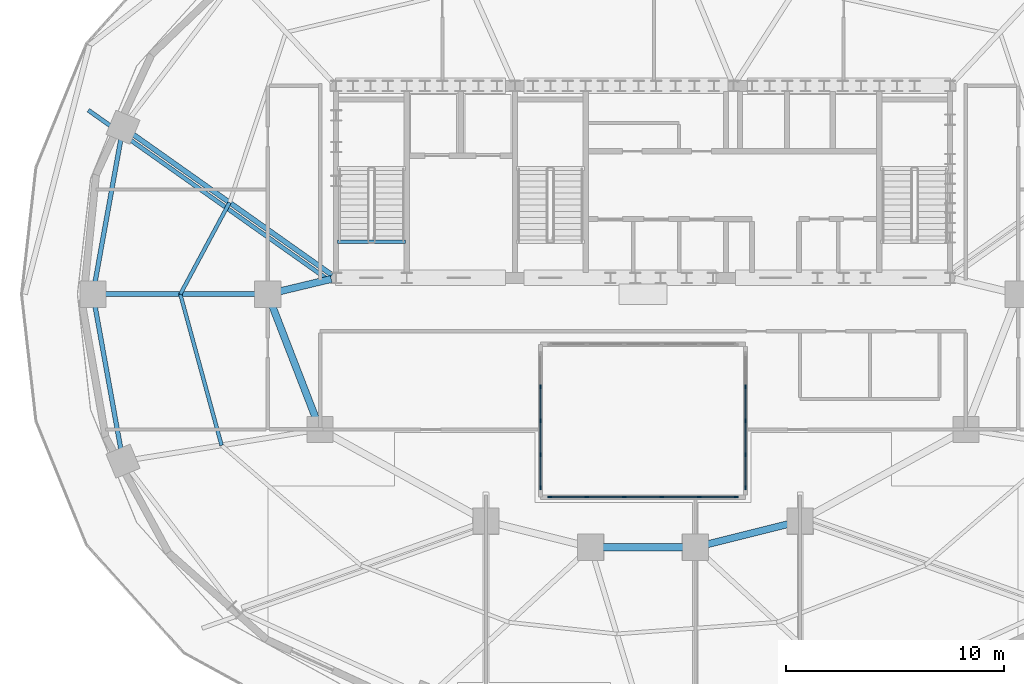
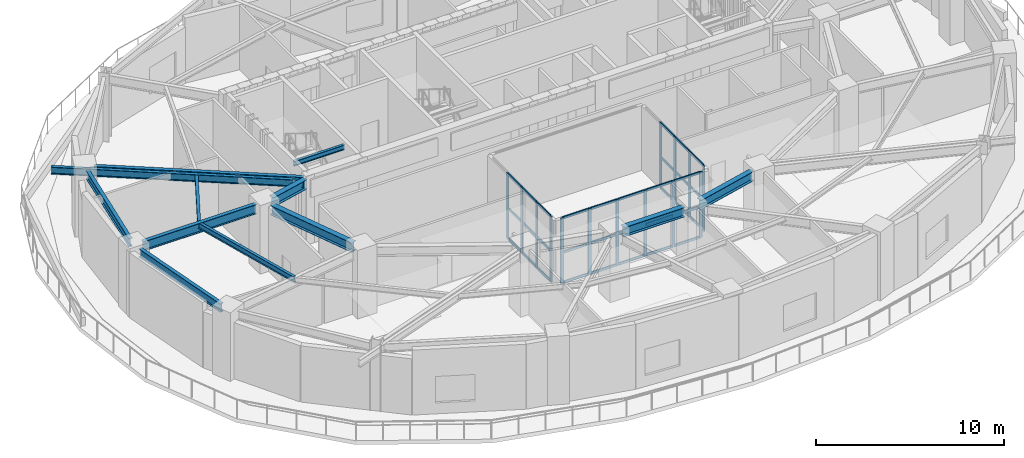
# One storey, part 2 of 11: 47 members, 12 beams, 3 elements without a shape of their own.
"""IFC4 building model written with IfcOpenShell, lengths in metres."""

from ifc_helpers import new_model, si_unit, direction, frame, origin, origin_2d, place, context, subcontext, project, spatial, rectangle, i_section, extrude, material, material_profile, profile_set, type_object, element, aggregate, save


model = new_model("IFC4")

# Units and contexts
model_context = context("Model", 3, precision=1e-05, world=origin(), true_north=direction((0.0, 1.0)))
body_context = subcontext(model_context, "Body", "Model", "MODEL_VIEW")
ifc_project = project(units=[si_unit("LENGTHUNIT", "METRE"), si_unit("AREAUNIT", "SQUARE_METRE"), si_unit("VOLUMEUNIT", "CUBIC_METRE"), si_unit("PLANEANGLEUNIT", "RADIAN"), si_unit("MASSUNIT", "GRAM", prefix="KILO")], contexts=[model_context])

# Site, building, storey
site_placement = place(None, origin())
site = spatial("IfcSite", under=ifc_project, at=site_placement, CompositionType="ELEMENT")
building_placement = place(site_placement, origin())
building = spatial("IfcBuilding", under=site, at=building_placement, Name="Haldorwick Loom Tower", CompositionType="ELEMENT")
storey_placement = place(building_placement, frame((0.0, 0.0, 131.14990234375)))
storey = spatial("IfcBuildingStorey", under=building, at=storey_placement, Name="L35", CompositionType="ELEMENT", Elevation=131.14990234375)

# Curtain wall, members
ifc_material_1 = material(Name="Thermally Broken Anodized Aluminium Curtain Wall Framing", Category="aluminium")
curtain_wall_type = type_object("IfcCurtainWallType", Name="ARC-CW-03", PredefinedType="NOTDEFINED", material=ifc_material_1)
curtain_wall_1_placement = place(storey_placement, origin())
curtain_wall_1 = element("IfcCurtainWall", 1, at=curtain_wall_1_placement, inside=storey, type_object=curtain_wall_type, Name="L35 Atrium Glazed Screen S", PredefinedType="NOTDEFINED")
ifc_material_profile_1 = material_profile(ifc_material_1, rectangle(XDim=0.06591796875, YDim=0.18505859375, at=origin_2d()), Name="ALU_MUL_66X185", Category="aluminium")
ifc_profile_set_1 = profile_set([ifc_material_profile_1], Name="Thermally Broken Anodized Aluminium Curtain Wall Framing")
member_type_1 = type_object("IfcMemberType", Name="ARC-CWM-03", PredefinedType="MULLION", material=ifc_profile_set_1)
member_1_placement = place(storey_placement, frame((40.26708984375, 16.699951171875, 0.0), z_axis=(0.0, 0.0, 1.0), x_axis=(0.0, -1.0, 0.0)))
member_1 = element("IfcMember", 2, at=member_1_placement, type_object=member_type_1, Name="CW-03 mullion 1", PredefinedType="MULLION", context=body_context, shape_type="SweptSolid", body=[
    extrude(rectangle(XDim=0.06591796875, YDim=0.18505859375, at=origin_2d()), origin(), (0.0, 0.0, 1.0), 4.260009765625),
])
member_2_placement = place(storey_placement, frame((38.580078125, 16.699951171875, 0.0), z_axis=(0.0, 0.0, 1.0), x_axis=(0.0, -1.0, 0.0)))
member_2 = element("IfcMember", 3, at=member_2_placement, type_object=member_type_1, Name="CW-03 mullion 2", PredefinedType="MULLION", context=body_context, shape_type="SweptSolid", body=[
    extrude(rectangle(XDim=0.06591796875, YDim=0.18505859375, at=origin_2d()), origin(), (0.0, 0.0, 1.0), 4.260009765625),
])
member_3_placement = place(storey_placement, frame((36.860107421875, 16.699951171875, 0.0), z_axis=(0.0, 0.0, 1.0), x_axis=(0.0, -1.0, 0.0)))
member_3 = element("IfcMember", 4, at=member_3_placement, type_object=member_type_1, Name="CW-03 mullion 3", PredefinedType="MULLION", context=body_context, shape_type="SweptSolid", body=[
    extrude(rectangle(XDim=0.06591796875, YDim=0.18505859375, at=origin_2d()), origin(), (0.0, 0.0, 1.0), 4.260009765625),
])
member_4_placement = place(storey_placement, frame((35.139892578125, 16.699951171875, 0.0), z_axis=(0.0, 0.0, 1.0), x_axis=(0.0, -1.0, 0.0)))
member_4 = element("IfcMember", 5, at=member_4_placement, type_object=member_type_1, Name="CW-03 mullion 4", PredefinedType="MULLION", context=body_context, shape_type="SweptSolid", body=[
    extrude(rectangle(XDim=0.06591796875, YDim=0.18505859375, at=origin_2d()), origin(), (0.0, 0.0, 1.0), 4.260009765625),
])
member_5_placement = place(storey_placement, frame((33.419921875, 16.699951171875, 0.0), z_axis=(0.0, 0.0, 1.0), x_axis=(0.0, -1.0, 0.0)))
member_5 = element("IfcMember", 6, at=member_5_placement, type_object=member_type_1, Name="CW-03 mullion 5", PredefinedType="MULLION", context=body_context, shape_type="SweptSolid", body=[
    extrude(rectangle(XDim=0.06591796875, YDim=0.18505859375, at=origin_2d()), origin(), (0.0, 0.0, 1.0), 4.260009765625),
])
member_6_placement = place(storey_placement, frame((31.73291015625, 16.699951171875, 0.0), z_axis=(0.0, 0.0, 1.0), x_axis=(0.0, -1.0, 0.0)))
member_6 = element("IfcMember", 7, at=member_6_placement, type_object=member_type_1, Name="CW-03 mullion 6", PredefinedType="MULLION", context=body_context, shape_type="SweptSolid", body=[
    extrude(rectangle(XDim=0.06591796875, YDim=0.18505859375, at=origin_2d()), origin(), (0.0, 0.0, 1.0), 4.260009765625),
])

curtain_wall_2_placement = place(storey_placement, origin())
curtain_wall_2 = element("IfcCurtainWall", 8, at=curtain_wall_2_placement, inside=storey, type_object=curtain_wall_type, Name="L35 Atrium Glazed Screen W", PredefinedType="NOTDEFINED")
member_7_placement = place(storey_placement, frame((31.300048828125, 17.133056640625, 0.0), z_axis=(0.0, 0.0, 1.0), x_axis=(-1.0, 0.0, 0.0)))
member_7 = element("IfcMember", 9, at=member_7_placement, type_object=member_type_1, Name="CW-03 mullion 1", PredefinedType="MULLION", context=body_context, shape_type="SweptSolid", body=[
    extrude(rectangle(XDim=0.06591796875, YDim=0.18505859375, at=origin_2d()), origin(), (0.0, 0.0, 1.0), 4.260009765625),
])
member_8_placement = place(storey_placement, frame((31.300048828125, 18.64990234375, 0.0), z_axis=(0.0, 0.0, 1.0), x_axis=(-1.0, 0.0, 0.0)))
member_8 = element("IfcMember", 10, at=member_8_placement, type_object=member_type_1, Name="CW-03 mullion 2", PredefinedType="MULLION", context=body_context, shape_type="SweptSolid", body=[
    extrude(rectangle(XDim=0.06591796875, YDim=0.18505859375, at=origin_2d()), origin(), (0.0, 0.0, 1.0), 4.260009765625),
])
member_9_placement = place(storey_placement, frame((31.300048828125, 20.199951171875, 0.0), z_axis=(0.0, 0.0, 1.0), x_axis=(-1.0, 0.0, 0.0)))
member_9 = element("IfcMember", 11, at=member_9_placement, type_object=member_type_1, Name="CW-03 mullion 3", PredefinedType="MULLION", context=body_context, shape_type="SweptSolid", body=[
    extrude(rectangle(XDim=0.06591796875, YDim=0.18505859375, at=origin_2d()), origin(), (0.0, 0.0, 1.0), 4.260009765625),
])
member_10_placement = place(storey_placement, frame((31.300048828125, 21.75, 0.0), z_axis=(0.0, 0.0, 1.0), x_axis=(-1.0, 0.0, 0.0)))
member_10 = element("IfcMember", 12, at=member_10_placement, type_object=member_type_1, Name="CW-03 mullion 4", PredefinedType="MULLION", context=body_context, shape_type="SweptSolid", body=[
    extrude(rectangle(XDim=0.06591796875, YDim=0.18505859375, at=origin_2d()), origin(), (0.0, 0.0, 1.0), 4.260009765625),
])

curtain_wall_3_placement = place(storey_placement, origin())
curtain_wall_3 = element("IfcCurtainWall", 13, at=curtain_wall_3_placement, inside=storey, type_object=curtain_wall_type, Name="L35 Atrium Glazed Screen E", PredefinedType="NOTDEFINED")
member_11_placement = place(storey_placement, frame((40.699951171875, 21.75, 0.0), z_axis=(0.0, 0.0, 1.0), x_axis=(1.0, 0.0, 0.0)))
member_11 = element("IfcMember", 14, at=member_11_placement, type_object=member_type_1, Name="CW-03 mullion 2", PredefinedType="MULLION", context=body_context, shape_type="SweptSolid", body=[
    extrude(rectangle(XDim=0.06591796875, YDim=0.18505859375, at=origin_2d()), origin(), (0.0, 0.0, 1.0), 4.260009765625),
])
member_12_placement = place(storey_placement, frame((40.699951171875, 20.199951171875, 0.0), z_axis=(0.0, 0.0, 1.0), x_axis=(1.0, 0.0, 0.0)))
member_12 = element("IfcMember", 15, at=member_12_placement, type_object=member_type_1, Name="CW-03 mullion 3", PredefinedType="MULLION", context=body_context, shape_type="SweptSolid", body=[
    extrude(rectangle(XDim=0.06591796875, YDim=0.18505859375, at=origin_2d()), origin(), (0.0, 0.0, 1.0), 4.260009765625),
])
member_13_placement = place(storey_placement, frame((40.699951171875, 18.64990234375, 0.0), z_axis=(0.0, 0.0, 1.0), x_axis=(1.0, 0.0, 0.0)))
member_13 = element("IfcMember", 16, at=member_13_placement, type_object=member_type_1, Name="CW-03 mullion 4", PredefinedType="MULLION", context=body_context, shape_type="SweptSolid", body=[
    extrude(rectangle(XDim=0.06591796875, YDim=0.18505859375, at=origin_2d()), origin(), (0.0, 0.0, 1.0), 4.260009765625),
])
member_14_placement = place(storey_placement, frame((40.699951171875, 17.133056640625, 0.0), z_axis=(0.0, 0.0, 1.0), x_axis=(1.0, 0.0, 0.0)))
member_14 = element("IfcMember", 17, at=member_14_placement, type_object=member_type_1, Name="CW-03 mullion 5", PredefinedType="MULLION", context=body_context, shape_type="SweptSolid", body=[
    extrude(rectangle(XDim=0.06591796875, YDim=0.18505859375, at=origin_2d()), origin(), (0.0, 0.0, 1.0), 4.260009765625),
])

# Member
ifc_material_profile_2 = material_profile(ifc_material_1, rectangle(XDim=0.06591796875, YDim=0.1650390625, at=origin_2d()), Name="ALU_TRN_66X165", Category="aluminium")
ifc_profile_set_2 = profile_set([ifc_material_profile_2], Name="Thermally Broken Anodized Aluminium Curtain Wall Framing")
member_type_2 = type_object("IfcMemberType", Name="ARC-CWT-03", PredefinedType="USERDEFINED", material=ifc_profile_set_2)
member_15_placement = place(storey_placement, frame((40.23388671875, 16.699951171875, 0.033203125), z_axis=(-1.0, 0.0, 0.0), x_axis=(0.0, -1.0, 0.0)))
member_15 = element("IfcMember", 18, at=member_15_placement, type_object=member_type_2, Name="CW-03 transom 1.1", ObjectType="TRANSOM", PredefinedType="USERDEFINED", context=body_context, shape_type="SweptSolid", body=[
    extrude(rectangle(XDim=0.06591796875, YDim=0.1650390625, at=origin_2d()), origin(), (0.0, 0.0, 1.0), 1.620849609375),
])

member_16_placement = place(storey_placement, frame((40.23388671875, 16.699951171875, 2.0), z_axis=(-1.0, 0.0, 0.0), x_axis=(0.0, -1.0, 0.0)))
member_16 = element("IfcMember", 19, at=member_16_placement, type_object=member_type_2, Name="CW-03 transom 1.2", ObjectType="TRANSOM", PredefinedType="USERDEFINED", context=body_context, shape_type="SweptSolid", body=[
    extrude(rectangle(XDim=0.06591796875, YDim=0.1650390625, at=origin_2d()), origin(), (0.0, 0.0, 1.0), 1.620849609375),
])

member_17_placement = place(storey_placement, frame((40.23388671875, 16.699951171875, 4.22705078125), z_axis=(-1.0, 0.0, 0.0), x_axis=(0.0, -1.0, 0.0)))
member_17 = element("IfcMember", 20, at=member_17_placement, type_object=member_type_2, Name="CW-03 transom 1.3", ObjectType="TRANSOM", PredefinedType="USERDEFINED", context=body_context, shape_type="SweptSolid", body=[
    extrude(rectangle(XDim=0.06591796875, YDim=0.1650390625, at=origin_2d()), origin(), (0.0, 0.0, 1.0), 1.620849609375),
])

member_18_placement = place(storey_placement, frame((38.547119140625, 16.699951171875, 0.033203125), z_axis=(-1.0, 0.0, 0.0), x_axis=(0.0, -1.0, 0.0)))
member_18 = element("IfcMember", 21, at=member_18_placement, type_object=member_type_2, Name="CW-03 transom 2.1", ObjectType="TRANSOM", PredefinedType="USERDEFINED", context=body_context, shape_type="SweptSolid", body=[
    extrude(rectangle(XDim=0.06591796875, YDim=0.1650390625, at=origin_2d()), origin(), (0.0, 0.0, 1.0), 1.654052734375),
])

member_19_placement = place(storey_placement, frame((38.547119140625, 16.699951171875, 2.0), z_axis=(-1.0, 0.0, 0.0), x_axis=(0.0, -1.0, 0.0)))
member_19 = element("IfcMember", 22, at=member_19_placement, type_object=member_type_2, Name="CW-03 transom 2.2", ObjectType="TRANSOM", PredefinedType="USERDEFINED", context=body_context, shape_type="SweptSolid", body=[
    extrude(rectangle(XDim=0.06591796875, YDim=0.1650390625, at=origin_2d()), origin(), (0.0, 0.0, 1.0), 1.654052734375),
])

member_20_placement = place(storey_placement, frame((38.547119140625, 16.699951171875, 4.22705078125), z_axis=(-1.0, 0.0, 0.0), x_axis=(0.0, -1.0, 0.0)))
member_20 = element("IfcMember", 23, at=member_20_placement, type_object=member_type_2, Name="CW-03 transom 2.3", ObjectType="TRANSOM", PredefinedType="USERDEFINED", context=body_context, shape_type="SweptSolid", body=[
    extrude(rectangle(XDim=0.06591796875, YDim=0.1650390625, at=origin_2d()), origin(), (0.0, 0.0, 1.0), 1.654052734375),
])

member_21_placement = place(storey_placement, frame((36.826904296875, 16.699951171875, 0.033203125), z_axis=(-1.0, 0.0, 0.0), x_axis=(0.0, -1.0, 0.0)))
member_21 = element("IfcMember", 24, at=member_21_placement, type_object=member_type_2, Name="CW-03 transom 3.1", ObjectType="TRANSOM", PredefinedType="USERDEFINED", context=body_context, shape_type="SweptSolid", body=[
    extrude(rectangle(XDim=0.06591796875, YDim=0.1650390625, at=origin_2d()), origin(), (0.0, 0.0, 1.0), 1.65380859375),
])

member_22_placement = place(storey_placement, frame((36.826904296875, 16.699951171875, 2.0), z_axis=(-1.0, 0.0, 0.0), x_axis=(0.0, -1.0, 0.0)))
member_22 = element("IfcMember", 25, at=member_22_placement, type_object=member_type_2, Name="CW-03 transom 3.2", ObjectType="TRANSOM", PredefinedType="USERDEFINED", context=body_context, shape_type="SweptSolid", body=[
    extrude(rectangle(XDim=0.06591796875, YDim=0.1650390625, at=origin_2d()), origin(), (0.0, 0.0, 1.0), 1.65380859375),
])

member_23_placement = place(storey_placement, frame((36.826904296875, 16.699951171875, 4.22705078125), z_axis=(-1.0, 0.0, 0.0), x_axis=(0.0, -1.0, 0.0)))
member_23 = element("IfcMember", 26, at=member_23_placement, type_object=member_type_2, Name="CW-03 transom 3.3", ObjectType="TRANSOM", PredefinedType="USERDEFINED", context=body_context, shape_type="SweptSolid", body=[
    extrude(rectangle(XDim=0.06591796875, YDim=0.1650390625, at=origin_2d()), origin(), (0.0, 0.0, 1.0), 1.65380859375),
])

member_24_placement = place(storey_placement, frame((35.10693359375, 16.699951171875, 0.033203125), z_axis=(-1.0, 0.0, 0.0), x_axis=(0.0, -1.0, 0.0)))
member_24 = element("IfcMember", 27, at=member_24_placement, type_object=member_type_2, Name="CW-03 transom 4.1", ObjectType="TRANSOM", PredefinedType="USERDEFINED", context=body_context, shape_type="SweptSolid", body=[
    extrude(rectangle(XDim=0.06591796875, YDim=0.1650390625, at=origin_2d()), origin(), (0.0, 0.0, 1.0), 1.654052734375),
])

member_25_placement = place(storey_placement, frame((35.10693359375, 16.699951171875, 2.0), z_axis=(-1.0, 0.0, 0.0), x_axis=(0.0, -1.0, 0.0)))
member_25 = element("IfcMember", 28, at=member_25_placement, type_object=member_type_2, Name="CW-03 transom 4.2", ObjectType="TRANSOM", PredefinedType="USERDEFINED", context=body_context, shape_type="SweptSolid", body=[
    extrude(rectangle(XDim=0.06591796875, YDim=0.1650390625, at=origin_2d()), origin(), (0.0, 0.0, 1.0), 1.654052734375),
])

member_26_placement = place(storey_placement, frame((35.10693359375, 16.699951171875, 4.22705078125), z_axis=(-1.0, 0.0, 0.0), x_axis=(0.0, -1.0, 0.0)))
member_26 = element("IfcMember", 29, at=member_26_placement, type_object=member_type_2, Name="CW-03 transom 4.3", ObjectType="TRANSOM", PredefinedType="USERDEFINED", context=body_context, shape_type="SweptSolid", body=[
    extrude(rectangle(XDim=0.06591796875, YDim=0.1650390625, at=origin_2d()), origin(), (0.0, 0.0, 1.0), 1.654052734375),
])

member_27_placement = place(storey_placement, frame((33.386962890625, 16.699951171875, 0.033203125), z_axis=(-1.0, 0.0, 0.0), x_axis=(0.0, -1.0, 0.0)))
member_27 = element("IfcMember", 30, at=member_27_placement, type_object=member_type_2, Name="CW-03 transom 5.1", ObjectType="TRANSOM", PredefinedType="USERDEFINED", context=body_context, shape_type="SweptSolid", body=[
    extrude(rectangle(XDim=0.06591796875, YDim=0.1650390625, at=origin_2d()), origin(), (0.0, 0.0, 1.0), 1.620849609375),
])

member_28_placement = place(storey_placement, frame((33.386962890625, 16.699951171875, 2.0), z_axis=(-1.0, 0.0, 0.0), x_axis=(0.0, -1.0, 0.0)))
member_28 = element("IfcMember", 31, at=member_28_placement, type_object=member_type_2, Name="CW-03 transom 5.2", ObjectType="TRANSOM", PredefinedType="USERDEFINED", context=body_context, shape_type="SweptSolid", body=[
    extrude(rectangle(XDim=0.06591796875, YDim=0.1650390625, at=origin_2d()), origin(), (0.0, 0.0, 1.0), 1.620849609375),
])

member_29_placement = place(storey_placement, frame((33.386962890625, 16.699951171875, 4.22705078125), z_axis=(-1.0, 0.0, 0.0), x_axis=(0.0, -1.0, 0.0)))
member_29 = element("IfcMember", 32, at=member_29_placement, type_object=member_type_2, Name="CW-03 transom 5.3", ObjectType="TRANSOM", PredefinedType="USERDEFINED", context=body_context, shape_type="SweptSolid", body=[
    extrude(rectangle(XDim=0.06591796875, YDim=0.1650390625, at=origin_2d()), origin(), (0.0, 0.0, 1.0), 1.620849609375),
])

aggregate(curtain_wall_1, [member_1, member_2, member_3, member_4, member_5, member_6, member_15, member_16, member_17, member_18, member_19, member_20, member_21, member_22, member_23, member_24, member_25, member_26, member_27, member_28, member_29])

member_30_placement = place(storey_placement, frame((31.300048828125, 17.166015625, 0.033203125), z_axis=(0.0, 1.0, 0.0), x_axis=(-1.0, 0.0, 0.0)))
member_30 = element("IfcMember", 33, at=member_30_placement, type_object=member_type_2, Name="CW-03 transom 1.1", ObjectType="TRANSOM", PredefinedType="USERDEFINED", context=body_context, shape_type="SweptSolid", body=[
    extrude(rectangle(XDim=0.06591796875, YDim=0.1650390625, at=origin_2d()), origin(), (0.0, 0.0, 1.0), 1.450927734375),
])

member_31_placement = place(storey_placement, frame((31.300048828125, 17.166015625, 2.0), z_axis=(0.0, 1.0, 0.0), x_axis=(-1.0, 0.0, 0.0)))
member_31 = element("IfcMember", 34, at=member_31_placement, type_object=member_type_2, Name="CW-03 transom 1.2", ObjectType="TRANSOM", PredefinedType="USERDEFINED", context=body_context, shape_type="SweptSolid", body=[
    extrude(rectangle(XDim=0.06591796875, YDim=0.1650390625, at=origin_2d()), origin(), (0.0, 0.0, 1.0), 1.450927734375),
])

member_32_placement = place(storey_placement, frame((31.300048828125, 17.166015625, 4.22705078125), z_axis=(0.0, 1.0, 0.0), x_axis=(-1.0, 0.0, 0.0)))
member_32 = element("IfcMember", 35, at=member_32_placement, type_object=member_type_2, Name="CW-03 transom 1.3", ObjectType="TRANSOM", PredefinedType="USERDEFINED", context=body_context, shape_type="SweptSolid", body=[
    extrude(rectangle(XDim=0.06591796875, YDim=0.1650390625, at=origin_2d()), origin(), (0.0, 0.0, 1.0), 1.450927734375),
])

member_33_placement = place(storey_placement, frame((31.300048828125, 18.68310546875, 0.033203125), z_axis=(0.0, 1.0, 0.0), x_axis=(-1.0, 0.0, 0.0)))
member_33 = element("IfcMember", 36, at=member_33_placement, type_object=member_type_2, Name="CW-03 transom 2.1", ObjectType="TRANSOM", PredefinedType="USERDEFINED", context=body_context, shape_type="SweptSolid", body=[
    extrude(rectangle(XDim=0.06591796875, YDim=0.1650390625, at=origin_2d()), origin(), (0.0, 0.0, 1.0), 1.48388671875),
])

member_34_placement = place(storey_placement, frame((31.300048828125, 18.68310546875, 2.0), z_axis=(0.0, 1.0, 0.0), x_axis=(-1.0, 0.0, 0.0)))
member_34 = element("IfcMember", 37, at=member_34_placement, type_object=member_type_2, Name="CW-03 transom 2.2", ObjectType="TRANSOM", PredefinedType="USERDEFINED", context=body_context, shape_type="SweptSolid", body=[
    extrude(rectangle(XDim=0.06591796875, YDim=0.1650390625, at=origin_2d()), origin(), (0.0, 0.0, 1.0), 1.48388671875),
])

member_35_placement = place(storey_placement, frame((31.300048828125, 18.68310546875, 4.22705078125), z_axis=(0.0, 1.0, 0.0), x_axis=(-1.0, 0.0, 0.0)))
member_35 = element("IfcMember", 38, at=member_35_placement, type_object=member_type_2, Name="CW-03 transom 2.3", ObjectType="TRANSOM", PredefinedType="USERDEFINED", context=body_context, shape_type="SweptSolid", body=[
    extrude(rectangle(XDim=0.06591796875, YDim=0.1650390625, at=origin_2d()), origin(), (0.0, 0.0, 1.0), 1.48388671875),
])

member_36_placement = place(storey_placement, frame((31.300048828125, 20.23291015625, 0.033203125), z_axis=(0.0, 1.0, 0.0), x_axis=(-1.0, 0.0, 0.0)))
member_36 = element("IfcMember", 39, at=member_36_placement, type_object=member_type_2, Name="CW-03 transom 3.1", ObjectType="TRANSOM", PredefinedType="USERDEFINED", context=body_context, shape_type="SweptSolid", body=[
    extrude(rectangle(XDim=0.06591796875, YDim=0.1650390625, at=origin_2d()), origin(), (0.0, 0.0, 1.0), 1.484130859375),
])

member_37_placement = place(storey_placement, frame((31.300048828125, 20.23291015625, 2.0), z_axis=(0.0, 1.0, 0.0), x_axis=(-1.0, 0.0, 0.0)))
member_37 = element("IfcMember", 40, at=member_37_placement, type_object=member_type_2, Name="CW-03 transom 3.2", ObjectType="TRANSOM", PredefinedType="USERDEFINED", context=body_context, shape_type="SweptSolid", body=[
    extrude(rectangle(XDim=0.06591796875, YDim=0.1650390625, at=origin_2d()), origin(), (0.0, 0.0, 1.0), 1.484130859375),
])

member_38_placement = place(storey_placement, frame((31.300048828125, 20.23291015625, 4.22705078125), z_axis=(0.0, 1.0, 0.0), x_axis=(-1.0, 0.0, 0.0)))
member_38 = element("IfcMember", 41, at=member_38_placement, type_object=member_type_2, Name="CW-03 transom 3.3", ObjectType="TRANSOM", PredefinedType="USERDEFINED", context=body_context, shape_type="SweptSolid", body=[
    extrude(rectangle(XDim=0.06591796875, YDim=0.1650390625, at=origin_2d()), origin(), (0.0, 0.0, 1.0), 1.484130859375),
])

aggregate(curtain_wall_2, [member_7, member_8, member_9, member_10, member_30, member_31, member_32, member_33, member_34, member_35, member_36, member_37, member_38])

member_39_placement = place(storey_placement, frame((40.699951171875, 21.717041015625, 0.033203125), z_axis=(0.0, -1.0, 0.0), x_axis=(1.0, 0.0, 0.0)))
member_39 = element("IfcMember", 42, at=member_39_placement, type_object=member_type_2, Name="CW-03 transom 2.1", ObjectType="TRANSOM", PredefinedType="USERDEFINED", context=body_context, shape_type="SweptSolid", body=[
    extrude(rectangle(XDim=0.06591796875, YDim=0.1650390625, at=origin_2d()), origin(), (0.0, 0.0, 1.0), 1.484130859375),
])

member_40_placement = place(storey_placement, frame((40.699951171875, 21.717041015625, 2.0), z_axis=(0.0, -1.0, 0.0), x_axis=(1.0, 0.0, 0.0)))
member_40 = element("IfcMember", 43, at=member_40_placement, type_object=member_type_2, Name="CW-03 transom 2.2", ObjectType="TRANSOM", PredefinedType="USERDEFINED", context=body_context, shape_type="SweptSolid", body=[
    extrude(rectangle(XDim=0.06591796875, YDim=0.1650390625, at=origin_2d()), origin(), (0.0, 0.0, 1.0), 1.484130859375),
])

member_41_placement = place(storey_placement, frame((40.699951171875, 21.717041015625, 4.22705078125), z_axis=(0.0, -1.0, 0.0), x_axis=(1.0, 0.0, 0.0)))
member_41 = element("IfcMember", 44, at=member_41_placement, type_object=member_type_2, Name="CW-03 transom 2.3", ObjectType="TRANSOM", PredefinedType="USERDEFINED", context=body_context, shape_type="SweptSolid", body=[
    extrude(rectangle(XDim=0.06591796875, YDim=0.1650390625, at=origin_2d()), origin(), (0.0, 0.0, 1.0), 1.484130859375),
])

member_42_placement = place(storey_placement, frame((40.699951171875, 20.1669921875, 0.033203125), z_axis=(0.0, -1.0, 0.0), x_axis=(1.0, 0.0, 0.0)))
member_42 = element("IfcMember", 45, at=member_42_placement, type_object=member_type_2, Name="CW-03 transom 3.1", ObjectType="TRANSOM", PredefinedType="USERDEFINED", context=body_context, shape_type="SweptSolid", body=[
    extrude(rectangle(XDim=0.06591796875, YDim=0.1650390625, at=origin_2d()), origin(), (0.0, 0.0, 1.0), 1.48388671875),
])

member_43_placement = place(storey_placement, frame((40.699951171875, 20.1669921875, 2.0), z_axis=(0.0, -1.0, 0.0), x_axis=(1.0, 0.0, 0.0)))
member_43 = element("IfcMember", 46, at=member_43_placement, type_object=member_type_2, Name="CW-03 transom 3.2", ObjectType="TRANSOM", PredefinedType="USERDEFINED", context=body_context, shape_type="SweptSolid", body=[
    extrude(rectangle(XDim=0.06591796875, YDim=0.1650390625, at=origin_2d()), origin(), (0.0, 0.0, 1.0), 1.48388671875),
])

member_44_placement = place(storey_placement, frame((40.699951171875, 20.1669921875, 4.22705078125), z_axis=(0.0, -1.0, 0.0), x_axis=(1.0, 0.0, 0.0)))
member_44 = element("IfcMember", 47, at=member_44_placement, type_object=member_type_2, Name="CW-03 transom 3.3", ObjectType="TRANSOM", PredefinedType="USERDEFINED", context=body_context, shape_type="SweptSolid", body=[
    extrude(rectangle(XDim=0.06591796875, YDim=0.1650390625, at=origin_2d()), origin(), (0.0, 0.0, 1.0), 1.48388671875),
])

member_45_placement = place(storey_placement, frame((40.699951171875, 18.616943359375, 0.033203125), z_axis=(0.0, -1.0, 0.0), x_axis=(1.0, 0.0, 0.0)))
member_45 = element("IfcMember", 48, at=member_45_placement, type_object=member_type_2, Name="CW-03 transom 4.1", ObjectType="TRANSOM", PredefinedType="USERDEFINED", context=body_context, shape_type="SweptSolid", body=[
    extrude(rectangle(XDim=0.06591796875, YDim=0.1650390625, at=origin_2d()), origin(), (0.0, 0.0, 1.0), 1.450927734375),
])

member_46_placement = place(storey_placement, frame((40.699951171875, 18.616943359375, 2.0), z_axis=(0.0, -1.0, 0.0), x_axis=(1.0, 0.0, 0.0)))
member_46 = element("IfcMember", 49, at=member_46_placement, type_object=member_type_2, Name="CW-03 transom 4.2", ObjectType="TRANSOM", PredefinedType="USERDEFINED", context=body_context, shape_type="SweptSolid", body=[
    extrude(rectangle(XDim=0.06591796875, YDim=0.1650390625, at=origin_2d()), origin(), (0.0, 0.0, 1.0), 1.450927734375),
])

member_47_placement = place(storey_placement, frame((40.699951171875, 18.616943359375, 4.22705078125), z_axis=(0.0, -1.0, 0.0), x_axis=(1.0, 0.0, 0.0)))
member_47 = element("IfcMember", 50, at=member_47_placement, type_object=member_type_2, Name="CW-03 transom 4.3", ObjectType="TRANSOM", PredefinedType="USERDEFINED", context=body_context, shape_type="SweptSolid", body=[
    extrude(rectangle(XDim=0.06591796875, YDim=0.1650390625, at=origin_2d()), origin(), (0.0, 0.0, 1.0), 1.450927734375),
])

aggregate(curtain_wall_3, [member_11, member_12, member_13, member_14, member_39, member_40, member_41, member_42, member_43, member_44, member_45, member_46, member_47])

# Beams
ifc_material_2 = material(Name="Steel CSA G40.21 350W", Category="steel")
ifc_material_profile_3 = material_profile(ifc_material_2, i_section(OverallWidth=0.193115234375, OverallDepth=0.466064453125, WebThickness=0.011474609375, FlangeThickness=0.01904296875, at=origin_2d()), Name="W460X97", Category="steel")
ifc_profile_set_3 = profile_set([ifc_material_profile_3], Name="Steel CSA G40.21 350W")
beam_type_1 = type_object("IfcBeamType", Name="STR-BM-BAL460", PredefinedType="BEAM", material=ifc_profile_set_3)
beam_1_placement = place(storey_placement, frame((21.584716796875, 26.651123046875, 4.027099609375), z_axis=(-0.816570288691, 0.577246016554, 0.0), x_axis=(-0.577246016554, -0.816570288691, 0.0)))
element("IfcBeam", 51, at=beam_1_placement, inside=storey, type_object=beam_type_1, Name="L35 Continuous Back-Spanned Balcony Beam 3", PredefinedType="BEAM", context=body_context, shape_type="SweptSolid", body=[
    extrude(i_section(OverallWidth=0.193115234375, OverallDepth=0.466064453125, WebThickness=0.011474609375, FlangeThickness=0.01904296875, at=origin_2d()), origin(), (0.0, 0.0, 1.0), 13.485107421875),
])
ifc_material_profile_4 = material_profile(ifc_material_2, i_section(OverallWidth=0.172119140625, OverallDepth=0.35791015625, WebThickness=0.0078125, FlangeThickness=0.01318359375, at=origin_2d()), Name="W360X57", Category="steel")
ifc_profile_set_4 = profile_set([ifc_material_profile_4], Name="Steel CSA G40.21 350W")
beam_type_2 = type_object("IfcBeamType", Name="STR-BM-J360", PredefinedType="JOIST", material=ifc_profile_set_4)
beam_2_placement = place(storey_placement, frame((17.046875, 30.201904296875, 4.0810546875), z_axis=(-0.472930162238, -0.881099915813, 0.0), x_axis=(0.881099915813, -0.472930162238, 0.0)))
element("IfcBeam", 52, at=beam_2_placement, inside=storey, type_object=beam_type_2, Name="L35 Mid-Bay Secondary Joist 8", PredefinedType="JOIST", context=body_context, shape_type="SweptSolid", body=[
    extrude(i_section(OverallWidth=0.172119140625, OverallDepth=0.35791015625, WebThickness=0.0078125, FlangeThickness=0.01318359375, at=origin_2d()), origin(), (0.0, 0.0, 1.0), 4.76904296875),
])
beam_3_placement = place(storey_placement, frame((14.79150390625, 26.0, 4.0810546875), z_axis=(0.263272762578, -0.964721437766, 0.0), x_axis=(0.964721437766, 0.263272762578, 0.0)))
element("IfcBeam", 53, at=beam_3_placement, inside=storey, type_object=beam_type_2, Name="L35 Mid-Bay Secondary Joist 9", PredefinedType="JOIST", context=body_context, shape_type="SweptSolid", body=[
    extrude(i_section(OverallWidth=0.172119140625, OverallDepth=0.35791015625, WebThickness=0.0078125, FlangeThickness=0.01318359375, at=origin_2d()), origin(), (0.0, 0.0, 1.0), 7.180419921875),
])
ifc_material_profile_5 = material_profile(ifc_material_2, i_section(OverallWidth=0.2119140625, OverallDepth=0.5439453125, WebThickness=0.01318359375, FlangeThickness=0.021240234375, at=origin_2d()), Name="W530X123", Category="steel")
ifc_profile_set_5 = profile_set([ifc_material_profile_5], Name="Steel CSA G40.21 350W")
beam_type_3 = type_object("IfcBeamType", Name="STR-BM-SP530", PredefinedType="SPANDREL", material=ifc_profile_set_5)
for number, where, z_axis, x_axis, name in (
    (54, (12.071533203125, 33.14208984375, 3.988037109375), (-0.177558730702, -0.984110205796, 0.0), (0.984110205796, -0.177558730702, 0.0), "L35 Perimeter Spandrel 8"),
    (55, (10.875244140625, 25.48828125, 3.988037109375), (0.177558730702, -0.984110205796, 0.0), (0.984110205796, 0.177558730702, 0.0), "L35 Perimeter Spandrel 9"),
):
    element("IfcBeam", number, at=place(storey_placement, frame(where, z_axis=z_axis, x_axis=x_axis)), inside=storey, type_object=beam_type_3, Name=name, PredefinedType="SPANDREL", context=body_context, shape_type="SweptSolid", body=[
        extrude(i_section(OverallWidth=0.2119140625, OverallDepth=0.5439453125, WebThickness=0.01318359375, FlangeThickness=0.021240234375, at=origin_2d()), origin(), (0.0, 0.0, 1.0), 6.737548828125),
    ])
ifc_material_profile_6 = material_profile(ifc_material_2, i_section(OverallWidth=0.166015625, OverallDepth=0.31298828125, WebThickness=0.006591796875, FlangeThickness=0.01123046875, at=origin_2d()), Name="W310X45", Category="steel")
ifc_profile_set_6 = profile_set([ifc_material_profile_6], Name="Steel CSA G40.21 350W")
beam_type_4 = type_object("IfcBeamType", Name="STR-BM-STRM", PredefinedType="BEAM", material=ifc_profile_set_6)
beam_4_placement = place(storey_placement, frame((21.989990234375, 28.39990234375, 4.103515625), z_axis=(1.0, 0.0, 0.0), x_axis=(0.0, 1.0, 0.0)))
element("IfcBeam", 56, at=beam_4_placement, inside=storey, type_object=beam_type_4, Name="L35 Stair ST-01 Landing Edge Trimmer", PredefinedType="BEAM", context=body_context, shape_type="SweptSolid", body=[
    extrude(i_section(OverallWidth=0.166015625, OverallDepth=0.31298828125, WebThickness=0.006591796875, FlangeThickness=0.01123046875, at=origin_2d()), origin(), (0.0, 0.0, 1.0), 3.1201171875),
])
ifc_material_profile_7 = material_profile(ifc_material_2, i_section(OverallWidth=0.324951171875, OverallDepth=0.615966796875, WebThickness=0.013916015625, FlangeThickness=0.021484375, at=origin_2d()), Name="W610X174", Category="steel")
ifc_profile_set_7 = profile_set([ifc_material_profile_7], Name="Steel CSA G40.21 350W")
beam_type_5 = type_object("IfcBeamType", Name="STR-BM-W610A", PredefinedType="BEAM", material=ifc_profile_set_7)
beam_5_placement = place(storey_placement, frame((42.695556640625, 15.473876953125, 3.9521484375), z_axis=(-0.970142500145, -0.242535625036, 0.0), x_axis=(0.242535625036, -0.970142500145, 0.0)))
element("IfcBeam", 57, at=beam_5_placement, inside=storey, type_object=beam_type_5, Name="L35 Inner Ring Girder 4", PredefinedType="BEAM", context=body_context, shape_type="SweptSolid", body=[
    extrude(i_section(OverallWidth=0.324951171875, OverallDepth=0.615966796875, WebThickness=0.013916015625, FlangeThickness=0.021484375, at=origin_2d()), origin(), (0.0, 0.0, 1.0), 3.90771484375),
])
beam_6_placement = place(storey_placement, frame((37.8798828125, 14.39990234375, 3.9521484375), z_axis=(-1.0, 0.0, 0.0), x_axis=(0.0, -1.0, 0.0)))
element("IfcBeam", 58, at=beam_6_placement, inside=storey, type_object=beam_type_5, Name="L35 Inner Ring Girder 5", PredefinedType="BEAM", context=body_context, shape_type="SweptSolid", body=[
    extrude(i_section(OverallWidth=0.324951171875, OverallDepth=0.615966796875, WebThickness=0.013916015625, FlangeThickness=0.021484375, at=origin_2d()), origin(), (0.0, 0.0, 1.0), 3.759765625),
])
beam_7_placement = place(storey_placement, frame((21.01220703125, 20.284912109375, 3.9521484375), z_axis=(-0.360964792353, 0.93257944363, 0.0), x_axis=(-0.93257944363, -0.360964792353, 0.0)))
element("IfcBeam", 59, at=beam_7_placement, inside=storey, type_object=beam_type_5, Name="L35 Inner Ring Girder 8", PredefinedType="BEAM", context=body_context, shape_type="SweptSolid", body=[
    extrude(i_section(OverallWidth=0.324951171875, OverallDepth=0.615966796875, WebThickness=0.013916015625, FlangeThickness=0.021484375, at=origin_2d()), origin(), (0.0, 0.0, 1.0), 5.6083984375),
])
beam_8_placement = place(storey_placement, frame((19.3056640625, 26.12109375, 3.9521484375), z_axis=(0.97247055837, 0.233025777764, 0.0), x_axis=(-0.233025777764, 0.97247055837, 0.0)))
element("IfcBeam", 60, at=beam_8_placement, inside=storey, type_object=beam_type_5, Name="L35 Inner Ring Girder 9", PredefinedType="BEAM", context=body_context, shape_type="SweptSolid", body=[
    extrude(i_section(OverallWidth=0.324951171875, OverallDepth=0.615966796875, WebThickness=0.013916015625, FlangeThickness=0.021484375, at=origin_2d()), origin(), (0.0, 0.0, 1.0), 2.4736328125),
])
ifc_material_profile_8 = material_profile(ifc_material_2, i_section(OverallWidth=0.22998046875, OverallDepth=0.616943359375, WebThickness=0.01318359375, FlangeThickness=0.022216796875, at=origin_2d()), Name="W610X140", Category="steel")
ifc_profile_set_8 = profile_set([ifc_material_profile_8], Name="Steel CSA G40.21 350W")
beam_type_6 = type_object("IfcBeamType", Name="STR-BM-W610B", PredefinedType="BEAM", material=ifc_profile_set_8)
beam_9_placement = place(storey_placement, frame((21.746337890625, 26.8798828125, 3.95166015625), z_axis=(-0.816581567299, 0.577230061542, 0.0), x_axis=(-0.577230061542, -0.816581567299, 0.0)))
element("IfcBeam", 61, at=beam_9_placement, inside=storey, type_object=beam_type_6, Name="L35 Radial Floor Girder 8", PredefinedType="BEAM", context=body_context, shape_type="SweptSolid", body=[
    extrude(i_section(OverallWidth=0.22998046875, OverallDepth=0.616943359375, WebThickness=0.01318359375, FlangeThickness=0.022216796875, at=origin_2d()), origin(), (0.0, 0.0, 1.0), 11.215087890625),
])
beam_10_placement = place(storey_placement, frame((18.280029296875, 26.0, 3.95166015625), z_axis=(-1.0, 0.0, 0.0), x_axis=(0.0, -1.0, 0.0)))
element("IfcBeam", 62, at=beam_10_placement, inside=storey, type_object=beam_type_6, Name="L35 Radial Floor Girder 9", PredefinedType="BEAM", context=body_context, shape_type="SweptSolid", body=[
    extrude(i_section(OverallWidth=0.22998046875, OverallDepth=0.616943359375, WebThickness=0.01318359375, FlangeThickness=0.022216796875, at=origin_2d()), origin(), (0.0, 0.0, 1.0), 6.97705078125),
])

save(model, "model.ifc")
